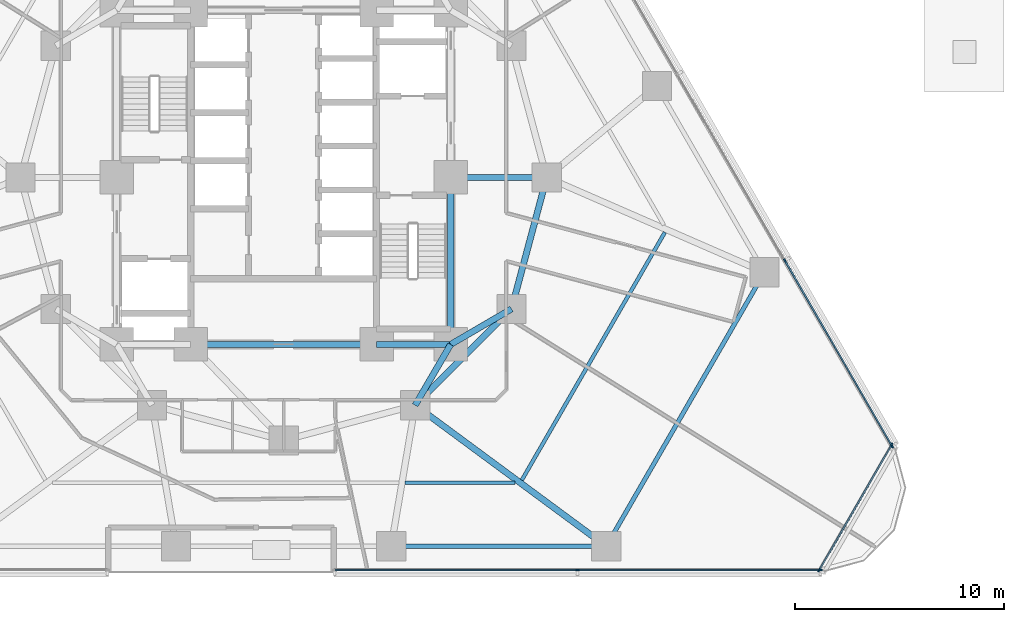
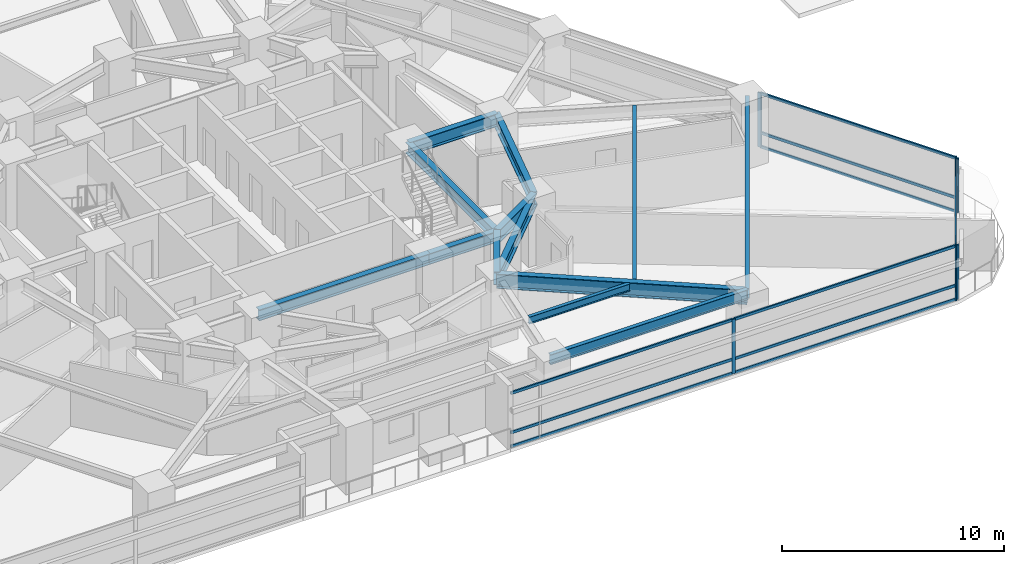
# One storey, part 4 of 16: 18 members, 13 beams, 3 elements without a shape of their own.
"""IFC4 building model written with IfcOpenShell, lengths in metres."""

from ifc_helpers import new_model, si_unit, direction, frame, origin, origin_2d, place, context, subcontext, project, spatial, rectangle, i_section, extrude, material, layer, layer_set, material_profile, profile_set, type_object, element, aggregate, save


model = new_model("IFC4")

# Units and contexts
model_context = context("Model", 3, precision=1e-05, world=origin(), true_north=direction((0.0, 1.0)))
body_context = subcontext(model_context, "Body", "Model", "MODEL_VIEW")
ifc_project = project(units=[si_unit("LENGTHUNIT", "METRE"), si_unit("AREAUNIT", "SQUARE_METRE"), si_unit("VOLUMEUNIT", "CUBIC_METRE"), si_unit("PLANEANGLEUNIT", "RADIAN"), si_unit("MASSUNIT", "GRAM", prefix="KILO")], contexts=[model_context])

# Site, building, storey
site_placement = place(None, origin())
site = spatial("IfcSite", under=ifc_project, at=site_placement, CompositionType="ELEMENT")
building_placement = place(site_placement, origin())
building = spatial("IfcBuilding", under=site, at=building_placement, Name="Terralouvre Media Tower", CompositionType="ELEMENT")
storey_placement = place(building_placement, frame((0.0, 0.0, 29.699951171875)))
storey = spatial("IfcBuildingStorey", under=building, at=storey_placement, Name="L06", CompositionType="ELEMENT", Elevation=29.699951171875)

# Beams
ifc_material_1 = material(Name="Structural steel S355J2", Category="steel")
ifc_material_profile_1 = material_profile(ifc_material_1, i_section(OverallWidth=0.179931640625, OverallDepth=0.39990234375, WebThickness=0.008544921875, FlangeThickness=0.013427734375, at=origin_2d()), Name="IPE 400")
ifc_profile_set_1 = profile_set([ifc_material_profile_1], Name="Structural steel S355J2")
beam_type_1 = type_object("IfcBeamType", Name="Composite Floor Joist J-IPE400 (IPE 400)", PredefinedType="JOIST", material=ifc_profile_set_1)
beam_1_placement = place(storey_placement, frame((5.817626953125, -14.627197265625, 3.300048828125), z_axis=(1.0, 0.0, 0.0), x_axis=(0.0, 1.0, 0.0)))
element("IfcBeam", 1, at=beam_1_placement, inside=storey, type_object=beam_type_1, Name="L06 Framing Beam JT-L06-04", PredefinedType="JOIST", context=body_context, shape_type="SweptSolid", body=[
    extrude(i_section(OverallWidth=0.179931640625, OverallDepth=0.39990234375, WebThickness=0.008544921875, FlangeThickness=0.013427734375, at=origin_2d()), origin(), (0.0, 0.0, 1.0), 5.264404296875),
])
beam_2_placement = place(storey_placement, frame((11.407470703125, -14.4970703125, 3.300048828125), z_axis=(0.500011895338, 0.866018535899, 0.0), x_axis=(-0.866018535899, 0.500011895338, 0.0)))
element("IfcBeam", 2, at=beam_2_placement, inside=storey, type_object=beam_type_1, Name="L06 Framing Beam JT-L06-05", PredefinedType="JOIST", context=body_context, shape_type="SweptSolid", body=[
    extrude(i_section(OverallWidth=0.179931640625, OverallDepth=0.39990234375, WebThickness=0.008544921875, FlangeThickness=0.013427734375, at=origin_2d()), origin(), (0.0, 0.0, 1.0), 13.702392578125),
])

# Curtain wall, members
ifc_material_2 = material(Name="Low-iron laminated double glazing with solar-control coating", Category="glass")
ifc_layer_1 = layer(ifc_material_2, 0.1650390625, Name="Lower Media Tower Unitised Curtain Wall CW-02")
ifc_layer_set_1 = layer_set([ifc_layer_1], Name="Low-iron laminated double glazing with solar-control coating")
curtain_wall_type_1 = type_object("IfcCurtainWallType", Name="Lower Media Tower Unitised Curtain Wall CW-02", PredefinedType="NOTDEFINED", material=ifc_layer_set_1)
curtain_wall_1_placement = place(storey_placement, origin())
curtain_wall_1 = element("IfcCurtainWall", 3, at=curtain_wall_1_placement, inside=storey, type_object=curtain_wall_type_1, Name="L06 Right Flank Curtain Wall F0", PredefinedType="NOTDEFINED")
ifc_material_3 = material(Name="Anodised extruded aluminium 6063-T6", Category="aluminium")
ifc_material_profile_2 = material_profile(ifc_material_3, rectangle(XDim=0.074951171875, YDim=0.14990234375, at=origin_2d()), Name="ALU 75x150")
ifc_profile_set_2 = profile_set([ifc_material_profile_2], Name="Anodised extruded aluminium 6063-T6")
member_type_1 = type_object("IfcMemberType", Name="Curtain-Wall Horizontal Transom TR-150", PredefinedType="USERDEFINED", material=ifc_profile_set_2)
member_1_placement = place(storey_placement, frame((2.47509765625, -18.796875, 0.03759765625), z_axis=(1.0, 0.0, 0.0), x_axis=(0.0, 1.0, 0.0)))
member_1 = element("IfcMember", 4, at=member_1_placement, type_object=member_type_1, Name="CW-02 transom 1.1", ObjectType="TRANSOM", PredefinedType="USERDEFINED", context=body_context, shape_type="SweptSolid", body=[
    extrude(rectangle(XDim=0.074951171875, YDim=0.14990234375, at=origin_2d()), origin(), (0.0, 0.0, 1.0), 11.5625),
])
member_2_placement = place(storey_placement, frame((2.47509765625, -18.796875, 0.800048828125), z_axis=(1.0, 0.0, 0.0), x_axis=(0.0, 1.0, 0.0)))
member_2 = element("IfcMember", 5, at=member_2_placement, type_object=member_type_1, Name="CW-02 transom 1.2", ObjectType="TRANSOM", PredefinedType="USERDEFINED", context=body_context, shape_type="SweptSolid", body=[
    extrude(rectangle(XDim=0.074951171875, YDim=0.14990234375, at=origin_2d()), origin(), (0.0, 0.0, 1.0), 11.5625),
])
member_3_placement = place(storey_placement, frame((2.47509765625, -18.796875, 2.962646484375), z_axis=(1.0, 0.0, 0.0), x_axis=(0.0, 1.0, 0.0)))
member_3 = element("IfcMember", 6, at=member_3_placement, type_object=member_type_1, Name="CW-02 transom 1.3", ObjectType="TRANSOM", PredefinedType="USERDEFINED", context=body_context, shape_type="SweptSolid", body=[
    extrude(rectangle(XDim=0.074951171875, YDim=0.14990234375, at=origin_2d()), origin(), (0.0, 0.0, 1.0), 11.5625),
])
member_4_placement = place(storey_placement, frame((14.112548828125, -18.796875, 0.03759765625), z_axis=(1.0, 0.0, 0.0), x_axis=(0.0, 1.0, 0.0)))
member_4 = element("IfcMember", 7, at=member_4_placement, type_object=member_type_1, Name="CW-02 transom 2.1", ObjectType="TRANSOM", PredefinedType="USERDEFINED", context=body_context, shape_type="SweptSolid", body=[
    extrude(rectangle(XDim=0.074951171875, YDim=0.14990234375, at=origin_2d()), origin(), (0.0, 0.0, 1.0), 11.5625),
])
member_5_placement = place(storey_placement, frame((14.112548828125, -18.796875, 0.800048828125), z_axis=(1.0, 0.0, 0.0), x_axis=(0.0, 1.0, 0.0)))
member_5 = element("IfcMember", 8, at=member_5_placement, type_object=member_type_1, Name="CW-02 transom 2.2", ObjectType="TRANSOM", PredefinedType="USERDEFINED", context=body_context, shape_type="SweptSolid", body=[
    extrude(rectangle(XDim=0.074951171875, YDim=0.14990234375, at=origin_2d()), origin(), (0.0, 0.0, 1.0), 11.5625),
])
member_6_placement = place(storey_placement, frame((14.112548828125, -18.796875, 2.962646484375), z_axis=(1.0, 0.0, 0.0), x_axis=(0.0, 1.0, 0.0)))
member_6 = element("IfcMember", 9, at=member_6_placement, type_object=member_type_1, Name="CW-02 transom 2.3", ObjectType="TRANSOM", PredefinedType="USERDEFINED", context=body_context, shape_type="SweptSolid", body=[
    extrude(rectangle(XDim=0.074951171875, YDim=0.14990234375, at=origin_2d()), origin(), (0.0, 0.0, 1.0), 11.5625),
])

curtain_wall_2_placement = place(storey_placement, origin())
curtain_wall_2 = element("IfcCurtainWall", 10, at=curtain_wall_2_placement, inside=storey, type_object=curtain_wall_type_1, Name="L06 Facade Curtain Wall F1", PredefinedType="NOTDEFINED")
member_7_placement = place(storey_placement, frame((29.115966796875, -12.8369140625, 0.03759765625), z_axis=(-0.499994895054, 0.866028351106, 0.0), x_axis=(-0.866028351106, -0.499994895054, 0.0)))
member_7 = element("IfcMember", 11, at=member_7_placement, type_object=member_type_1, Name="CW-02 transom 1.1", ObjectType="TRANSOM", PredefinedType="USERDEFINED", context=body_context, shape_type="SweptSolid", body=[
    extrude(rectangle(XDim=0.074951171875, YDim=0.14990234375, at=origin_2d()), origin(), (0.0, 0.0, 1.0), 10.1875),
])
member_8_placement = place(storey_placement, frame((29.115966796875, -12.8369140625, 0.800048828125), z_axis=(-0.499994895054, 0.866028351106, 0.0), x_axis=(-0.866028351106, -0.499994895054, 0.0)))
member_8 = element("IfcMember", 12, at=member_8_placement, type_object=member_type_1, Name="CW-02 transom 1.2", ObjectType="TRANSOM", PredefinedType="USERDEFINED", context=body_context, shape_type="SweptSolid", body=[
    extrude(rectangle(XDim=0.074951171875, YDim=0.14990234375, at=origin_2d()), origin(), (0.0, 0.0, 1.0), 10.1875),
])
member_9_placement = place(storey_placement, frame((29.115966796875, -12.8369140625, 2.962646484375), z_axis=(-0.499994895054, 0.866028351106, 0.0), x_axis=(-0.866028351106, -0.499994895054, 0.0)))
member_9 = element("IfcMember", 13, at=member_9_placement, type_object=member_type_1, Name="CW-02 transom 1.3", ObjectType="TRANSOM", PredefinedType="USERDEFINED", context=body_context, shape_type="SweptSolid", body=[
    extrude(rectangle(XDim=0.074951171875, YDim=0.14990234375, at=origin_2d()), origin(), (0.0, 0.0, 1.0), 10.1875),
])

ifc_material_4 = material(Name="Low-iron laminated double glazing with solar-control coating", Category="glass")
ifc_layer_2 = layer(ifc_material_4, 0.1650390625, Name="Rounded Wind-Corner Curved Glazing CW-04")
ifc_layer_set_2 = layer_set([ifc_layer_2], Name="Low-iron laminated double glazing with solar-control coating")
curtain_wall_type_2 = type_object("IfcCurtainWallType", Name="Rounded Wind-Corner Curved Glazing CW-04", PredefinedType="NOTDEFINED", material=ifc_layer_set_2)
curtain_wall_3_placement = place(storey_placement, origin())
curtain_wall_3 = element("IfcCurtainWall", 14, at=curtain_wall_3_placement, inside=storey, type_object=curtain_wall_type_2, Name="L06 Rounded Wind-Corner Curtain Wall C1", PredefinedType="NOTDEFINED")
member_10_placement = place(storey_placement, frame((25.666259765625, -18.78173828125, 0.03759765625), z_axis=(0.499998495495, 0.866026272409, 0.0), x_axis=(-0.866026272409, 0.499998495495, 0.0)))
member_10 = element("IfcMember", 15, at=member_10_placement, type_object=member_type_1, Name="CW-04 transom 1.1", ObjectType="TRANSOM", PredefinedType="USERDEFINED", context=body_context, shape_type="SweptSolid", body=[
    extrude(rectangle(XDim=0.074951171875, YDim=0.14990234375, at=origin_2d()), origin(), (0.0, 0.0, 1.0), 6.86474609375),
])
member_11_placement = place(storey_placement, frame((25.666259765625, -18.78173828125, 0.800048828125), z_axis=(0.499998495495, 0.866026272409, 0.0), x_axis=(-0.866026272409, 0.499998495495, 0.0)))
member_11 = element("IfcMember", 16, at=member_11_placement, type_object=member_type_1, Name="CW-04 transom 1.2", ObjectType="TRANSOM", PredefinedType="USERDEFINED", context=body_context, shape_type="SweptSolid", body=[
    extrude(rectangle(XDim=0.074951171875, YDim=0.14990234375, at=origin_2d()), origin(), (0.0, 0.0, 1.0), 6.86474609375),
])
member_12_placement = place(storey_placement, frame((25.666259765625, -18.78173828125, 2.962646484375), z_axis=(0.499998495495, 0.866026272409, 0.0), x_axis=(-0.866026272409, 0.499998495495, 0.0)))
member_12 = element("IfcMember", 17, at=member_12_placement, type_object=member_type_1, Name="CW-04 transom 1.3", ObjectType="TRANSOM", PredefinedType="USERDEFINED", context=body_context, shape_type="SweptSolid", body=[
    extrude(rectangle(XDim=0.074951171875, YDim=0.14990234375, at=origin_2d()), origin(), (0.0, 0.0, 1.0), 6.86474609375),
])

# Member
ifc_material_5 = material(Name="Anodised extruded aluminium 6063-T6", Category="aluminium")
ifc_material_profile_3 = material_profile(ifc_material_5, rectangle(XDim=0.074951171875, YDim=0.179931640625, at=origin_2d()), Name="ALU 75x180")
ifc_profile_set_3 = profile_set([ifc_material_profile_3], Name="Anodised extruded aluminium 6063-T6")
member_type_2 = type_object("IfcMemberType", Name="Curtain-Wall Vertical Mullion ML-180", PredefinedType="MULLION", material=ifc_profile_set_3)
member_13_placement = place(storey_placement, frame((14.074951171875, -18.796875, 0.0), z_axis=(0.0, 0.0, 1.0), x_axis=(0.0, 1.0, 0.0)))
member_13 = element("IfcMember", 18, at=member_13_placement, type_object=member_type_2, Name="CW-02 mullion 2", PredefinedType="MULLION", context=body_context, shape_type="SweptSolid", body=[
    extrude(rectangle(XDim=0.074951171875, YDim=0.179931640625, at=origin_2d()), origin(), (0.0, 0.0, 1.0), 3.0),
])

member_14_placement = place(storey_placement, frame((25.71240234375, -18.796875, 0.0), z_axis=(0.0, 0.0, 1.0), x_axis=(0.0, 1.0, 0.0)))
member_14 = element("IfcMember", 19, at=member_14_placement, type_object=member_type_2, Name="CW-02 mullion 3", PredefinedType="MULLION", context=body_context, shape_type="SweptSolid", body=[
    extrude(rectangle(XDim=0.074951171875, YDim=0.179931640625, at=origin_2d()), origin(), (0.0, 0.0, 1.0), 3.0),
])

aggregate(curtain_wall_1, [member_13, member_14, member_1, member_2, member_3, member_4, member_5, member_6])

member_15_placement = place(storey_placement, frame((29.134765625, -12.869384765625, 0.0), z_axis=(0.0, 0.0, 1.0), x_axis=(-0.866025412057, -0.499999985671, 0.0)))
member_15 = element("IfcMember", 20, at=member_15_placement, type_object=member_type_2, Name="CW-02 mullion 1", PredefinedType="MULLION", context=body_context, shape_type="SweptSolid", body=[
    extrude(rectangle(XDim=0.074951171875, YDim=0.179931640625, at=origin_2d()), origin(), (0.0, 0.0, 1.0), 3.0),
])

member_16_placement = place(storey_placement, frame((24.00341796875, -3.981689453125, 0.0), z_axis=(0.0, 0.0, 1.0), x_axis=(-0.866025412057, -0.499999985671, 0.0)))
member_16 = element("IfcMember", 21, at=member_16_placement, type_object=member_type_2, Name="CW-02 mullion 2", PredefinedType="MULLION", context=body_context, shape_type="SweptSolid", body=[
    extrude(rectangle(XDim=0.074951171875, YDim=0.179931640625, at=origin_2d()), origin(), (0.0, 0.0, 1.0), 3.0),
])

aggregate(curtain_wall_2, [member_15, member_16, member_7, member_8, member_9])

member_17_placement = place(storey_placement, frame((25.6474609375, -18.814208984375, 0.0), z_axis=(0.0, 0.0, 1.0), x_axis=(-0.866025581895, 0.499999691503, 0.0)))
member_17 = element("IfcMember", 22, at=member_17_placement, type_object=member_type_2, Name="CW-04 mullion 1", PredefinedType="MULLION", context=body_context, shape_type="SweptSolid", body=[
    extrude(rectangle(XDim=0.074951171875, YDim=0.179931640625, at=origin_2d()), origin(), (0.0, 0.0, 1.0), 3.0),
])

member_18_placement = place(storey_placement, frame((29.117431640625, -12.80419921875, 0.0), z_axis=(0.0, 0.0, 1.0), x_axis=(-0.866025581895, 0.499999691503, 0.0)))
member_18 = element("IfcMember", 23, at=member_18_placement, type_object=member_type_2, Name="CW-04 mullion 2", PredefinedType="MULLION", context=body_context, shape_type="SweptSolid", body=[
    extrude(rectangle(XDim=0.074951171875, YDim=0.179931640625, at=origin_2d()), origin(), (0.0, 0.0, 1.0), 3.0),
])

aggregate(curtain_wall_3, [member_17, member_18, member_10, member_11, member_12])

# Beams
ifc_material_6 = material(Name="Structural steel S355J2", Category="steel")
ifc_material_profile_4 = material_profile(ifc_material_6, i_section(OverallWidth=0.2099609375, OverallDepth=0.550048828125, WebThickness=0.010986328125, FlangeThickness=0.01708984375, at=origin_2d()), Name="IPE 550")
ifc_profile_set_4 = profile_set([ifc_material_profile_4], Name="Structural steel S355J2")
beam_type_2 = type_object("IfcBeamType", Name="Perimeter Spandrel Beam SPB-550 (IPE 550)", PredefinedType="SPANDREL", material=ifc_profile_set_4)
beam_3_placement = place(storey_placement, frame((5.14990234375, -17.666748046875, 3.22509765625), z_axis=(1.0, 0.0, 0.0), x_axis=(0.0, 1.0, 0.0)))
element("IfcBeam", 24, at=beam_3_placement, inside=storey, type_object=beam_type_2, Name="L06 Framing Beam BM-L06-PR04", PredefinedType="SPANDREL", context=body_context, shape_type="SweptSolid", body=[
    extrude(i_section(OverallWidth=0.2099609375, OverallDepth=0.550048828125, WebThickness=0.010986328125, FlangeThickness=0.01708984375, at=origin_2d()), origin(), (0.0, 0.0, 1.0), 10.300048828125),
])
beam_4_placement = place(storey_placement, frame((15.449951171875, -17.666748046875, 3.22509765625), z_axis=(0.500002375365, 0.866024032363, 0.0), x_axis=(-0.866024032363, 0.500002375365, 0.0)))
element("IfcBeam", 25, at=beam_4_placement, inside=storey, type_object=beam_type_2, Name="L06 Framing Beam BM-L06-PR05", PredefinedType="SPANDREL", context=body_context, shape_type="SweptSolid", body=[
    extrude(i_section(OverallWidth=0.2099609375, OverallDepth=0.550048828125, WebThickness=0.010986328125, FlangeThickness=0.01708984375, at=origin_2d()), origin(), (0.0, 0.0, 1.0), 15.14990234375),
])
ifc_material_7 = material(Name="Structural steel S460M", Category="steel")
ifc_material_profile_5 = material_profile(ifc_material_7, i_section(OverallWidth=0.300048828125, OverallDepth=0.60009765625, WebThickness=0.015380859375, FlangeThickness=0.030029296875, at=origin_2d()), Name="HEB 600")
ifc_profile_set_5 = profile_set([ifc_material_profile_5], Name="Structural steel S460M")
beam_type_3 = type_object("IfcBeamType", Name="Primary Floor Girder B-HEB600 (HEB 600)", PredefinedType="BEAM", material=ifc_profile_set_5)
beam_5_placement = place(storey_placement, frame((-4.449951171875, -8.0, 3.199951171875), z_axis=(1.0, 0.0, 0.0), x_axis=(0.0, 1.0, 0.0)))
element("IfcBeam", 26, at=beam_5_placement, inside=storey, type_object=beam_type_3, Name="L06 Framing Beam BM-L06-CPR02", PredefinedType="BEAM", context=body_context, shape_type="SweptSolid", body=[
    extrude(i_section(OverallWidth=0.300048828125, OverallDepth=0.60009765625, WebThickness=0.015380859375, FlangeThickness=0.030029296875, at=origin_2d()), origin(), (0.0, 0.0, 1.0), 8.89990234375),
])
beam_6_placement = place(storey_placement, frame((4.449951171875, -8.0, 3.199951171875), z_axis=(1.0, 0.0, 0.0), x_axis=(0.0, 1.0, 0.0)))
element("IfcBeam", 27, at=beam_6_placement, inside=storey, type_object=beam_type_3, Name="L06 Framing Beam BM-L06-CPR03", PredefinedType="BEAM", context=body_context, shape_type="SweptSolid", body=[
    extrude(i_section(OverallWidth=0.300048828125, OverallDepth=0.60009765625, WebThickness=0.015380859375, FlangeThickness=0.030029296875, at=origin_2d()), origin(), (0.0, 0.0, 1.0), 3.550048828125),
])
beam_7_placement = place(storey_placement, frame((8.0, -8.0, 3.199951171875), z_axis=(0.0, 1.0, 0.0), x_axis=(-1.0, 0.0, 0.0)))
element("IfcBeam", 28, at=beam_7_placement, inside=storey, type_object=beam_type_3, Name="L06 Framing Beam BM-L06-CPR04", PredefinedType="BEAM", context=body_context, shape_type="SweptSolid", body=[
    extrude(i_section(OverallWidth=0.300048828125, OverallDepth=0.60009765625, WebThickness=0.015380859375, FlangeThickness=0.030029296875, at=origin_2d()), origin(), (0.0, 0.0, 1.0), 8.0),
])
ifc_material_8 = material(Name="Structural steel S460M", Category="steel")
ifc_material_profile_6 = material_profile(ifc_material_8, i_section(OverallWidth=0.300048828125, OverallDepth=0.699951171875, WebThickness=0.01708984375, FlangeThickness=0.031982421875, at=origin_2d()), Name="HEB 700")
ifc_profile_set_6 = profile_set([ifc_material_profile_6], Name="Structural steel S460M")
beam_type_4 = type_object("IfcBeamType", Name="Primary Floor Girder B-HEB700 (HEB 700)", PredefinedType="BEAM", material=ifc_profile_set_6)
beam_8_placement = place(storey_placement, frame((6.300048828125, -10.911865234375, 3.150146484375), z_axis=(0.707106781187, 0.707106781187, 0.0), x_axis=(-0.707106781187, 0.707106781187, 0.0)))
element("IfcBeam", 29, at=beam_8_placement, inside=storey, type_object=beam_type_4, Name="L06 Framing Beam BM-L06-MR04", PredefinedType="BEAM", context=body_context, shape_type="SweptSolid", body=[
    extrude(i_section(OverallWidth=0.300048828125, OverallDepth=0.699951171875, WebThickness=0.01708984375, FlangeThickness=0.031982421875, at=origin_2d()), origin(), (0.0, 0.0, 1.0), 6.52197265625),
])
beam_9_placement = place(storey_placement, frame((10.911865234375, -6.300048828125, 3.150146484375), z_axis=(0.258838989821, 0.965920481897, 0.0), x_axis=(-0.965920481897, 0.258838989821, 0.0)))
element("IfcBeam", 30, at=beam_9_placement, inside=storey, type_object=beam_type_4, Name="L06 Framing Beam BM-L06-MR05", PredefinedType="BEAM", context=body_context, shape_type="SweptSolid", body=[
    extrude(i_section(OverallWidth=0.300048828125, OverallDepth=0.699951171875, WebThickness=0.01708984375, FlangeThickness=0.031982421875, at=origin_2d()), origin(), (0.0, 0.0, 1.0), 6.522216796875),
])
for number, where, z_axis, x_axis, name in (
    (31, (8.0, -8.0, 3.150146484375), (-0.504172629717, -0.863602894532, 0.0), (0.863602894532, -0.504172629717, 0.0), "L06 Framing Beam BM-L06-CM04"),
    (32, (8.0, -8.0, 3.150146484375), (0.863602894532, 0.504172629717, 0.0), (-0.504172629717, 0.863602894532, 0.0), "L06 Framing Beam BM-L06-CM05"),
):
    element("IfcBeam", number, at=place(storey_placement, frame(where, z_axis=z_axis, x_axis=x_axis)), inside=storey, type_object=beam_type_4, Name=name, PredefinedType="BEAM", context=body_context, shape_type="SweptSolid", body=[
        extrude(i_section(OverallWidth=0.300048828125, OverallDepth=0.699951171875, WebThickness=0.01708984375, FlangeThickness=0.031982421875, at=origin_2d()), origin(), (0.0, 0.0, 1.0), 3.371826171875),
    ])
beam_10_placement = place(storey_placement, frame((8.0, 0.0, 3.150146484375), z_axis=(1.0, 0.0, 0.0), x_axis=(0.0, 1.0, 0.0)))
element("IfcBeam", 33, at=beam_10_placement, inside=storey, type_object=beam_type_4, Name="L06 Framing Beam BM-L06-CM06", PredefinedType="BEAM", context=body_context, shape_type="SweptSolid", body=[
    extrude(i_section(OverallWidth=0.300048828125, OverallDepth=0.699951171875, WebThickness=0.01708984375, FlangeThickness=0.031982421875, at=origin_2d()), origin(), (0.0, 0.0, 1.0), 4.60009765625),
])
ifc_material_9 = material(Name="Structural steel S460M", Category="steel")
ifc_material_profile_7 = material_profile(ifc_material_9, i_section(OverallWidth=0.300048828125, OverallDepth=0.800048828125, WebThickness=0.017578125, FlangeThickness=0.032958984375, at=origin_2d()), Name="HEB 800")
ifc_profile_set_7 = profile_set([ifc_material_profile_7], Name="Structural steel S460M")
beam_type_5 = type_object("IfcBeamType", Name="Primary Floor Girder B-HEB800 (HEB 800)", PredefinedType="BEAM", material=ifc_profile_set_7)
beam_11_placement = place(storey_placement, frame((6.300048828125, -10.911865234375, 3.10009765625), z_axis=(0.804515955091, -0.593931038088, 0.0), x_axis=(0.593931038088, 0.804515955091, 0.0)))
element("IfcBeam", 34, at=beam_11_placement, inside=storey, type_object=beam_type_5, Name="L06 Framing Beam BM-L06-RD05", PredefinedType="BEAM", context=body_context, shape_type="SweptSolid", body=[
    extrude(i_section(OverallWidth=0.300048828125, OverallDepth=0.800048828125, WebThickness=0.017578125, FlangeThickness=0.032958984375, at=origin_2d()), origin(), (0.0, 0.0, 1.0), 11.373291015625),
])

save(model, "model.ifc")
